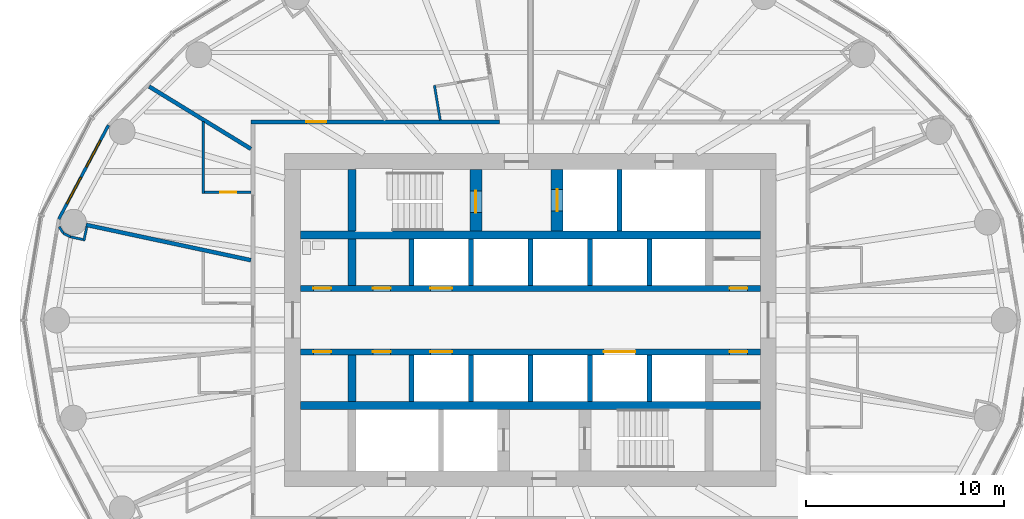
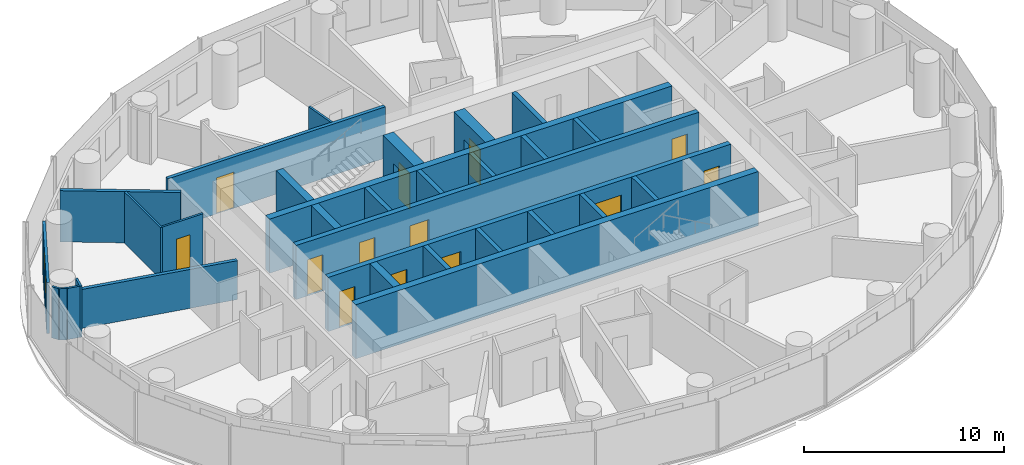
# One storey, part 8 of 14: 31 walls, 13 doors, 2 windows, 15 openings.
"""IFC4 building model written with IfcOpenShell, lengths in metres."""

from ifc_helpers import new_model, si_unit, direction, frame, frame_2d, origin, place, context, subcontext, project, spatial, rectangle, extrude, material, layer, layer_set, type_object, element, fill, save


model = new_model("IFC4")

# Units and contexts
model_context = context("Model", 3, precision=1e-05, world=origin(), true_north=direction((0.0, 1.0)))
body_context = subcontext(model_context, "Body", "Model", "MODEL_VIEW")
ifc_project = project(units=[si_unit("LENGTHUNIT", "METRE"), si_unit("AREAUNIT", "SQUARE_METRE"), si_unit("VOLUMEUNIT", "CUBIC_METRE"), si_unit("PLANEANGLEUNIT", "RADIAN"), si_unit("MASSUNIT", "GRAM", prefix="KILO")], contexts=[model_context])

# Site, building, storey
site_placement = place(None, origin())
site = spatial("IfcSite", under=ifc_project, at=site_placement, CompositionType="ELEMENT")
building_placement = place(site_placement, origin())
building = spatial("IfcBuilding", under=site, at=building_placement, Name="Hankou Lantern Tower", CompositionType="ELEMENT")
storey_placement = place(building_placement, frame((0.0, 0.0, 112.199951171875)))
storey = spatial("IfcBuildingStorey", under=building, at=storey_placement, Name="L28", CompositionType="ELEMENT", Elevation=112.199951171875)

# Walls
ifc_material_1 = material(Name="Concrete C60", Category="concrete")
ifc_layer_1 = layer(ifc_material_1, 0.39990234375)
ifc_layer_set_1 = layer_set([ifc_layer_1], Name="Concrete C60")
wall_type_1 = type_object("IfcWallType", Name="CW4 CORE CROSS WALL 400", PredefinedType="SHEAR", material=ifc_layer_set_1)
for number, where, z_axis, x_axis, name in (
    (1, (-11.60009765625, 4.300048828125, 0.0), (0.0, 0.0, 1.0), (1.0, 0.0, 0.0), "Core band wall north L28"),
    (2, (-11.60009765625, -4.300048828125, 0.0), (0.0, 0.0, 1.0), (1.0, 0.0, 0.0), "Core band wall south L28"),
):
    element("IfcWall", number, at=place(storey_placement, frame(where, z_axis=z_axis, x_axis=x_axis)), inside=storey, type_object=wall_type_1, Name=name, PredefinedType="SHEAR", context=body_context, shape_type="SweptSolid", body=[
        extrude(rectangle(XDim=23.2001953125, YDim=0.39990234375, at=frame_2d((11.60009765625, 0.0))), origin(), (0.0, 0.0, 1.0), 3.300048828125),
    ])
wall_1_placement = place(storey_placement, frame((-9.0, 4.5, 0.0), z_axis=(0.0, 0.0, 1.0), x_axis=(0.0, 1.0, 0.0)))
element("IfcWall", 3, at=wall_1_placement, inside=storey, type_object=wall_type_1, Name="Core strip wall L28", PredefinedType="SHEAR", context=body_context, shape_type="SweptSolid", body=[
    extrude(rectangle(XDim=3.10009765625, YDim=0.39990234375, at=frame_2d((1.550048828125, 0.0))), origin(), (0.0, 0.0, 1.0), 3.300048828125),
])
for number, where, z_axis, x_axis, name in (
    (4, (-9.0, 1.75, 0.0), (0.0, 0.0, 1.0), (0.0, 1.0, 0.0), "Core strip wall L28"),
    (5, (-9.0, -4.10009765625, 0.0), (0.0, 0.0, 1.0), (0.0, 1.0, 0.0), "Core strip wall L28"),
):
    element("IfcWall", number, at=place(storey_placement, frame(where, z_axis=z_axis, x_axis=x_axis)), inside=storey, type_object=wall_type_1, Name=name, PredefinedType="SHEAR", context=body_context, shape_type="SweptSolid", body=[
        extrude(rectangle(XDim=2.35009765625, YDim=0.39990234375, at=frame_2d((1.175048828125, 0.0))), origin(), (0.0, 0.0, 1.0), 3.300048828125),
    ])

# Wall, openings, doors
ifc_material_2 = material(Name="Concrete C60", Category="concrete")
ifc_layer_2 = layer(ifc_material_2, 0.300048828125)
ifc_layer_set_2 = layer_set([ifc_layer_2], Name="Concrete C60")
wall_type_2 = type_object("IfcWallType", Name="CW5 LIFT LOBBY WALL 300", PredefinedType="SHEAR", material=ifc_layer_set_2)
wall_2_placement = place(storey_placement, frame((-11.60009765625, 1.60009765625, 0.0), z_axis=(0.0, 0.0, 1.0), x_axis=(1.0, 0.0, 0.0)))
wall_2 = element("IfcWall", 6, at=wall_2_placement, inside=storey, type_object=wall_type_2, Name="Lift lobby wall north L28", PredefinedType="SHEAR", context=body_context, shape_type="SweptSolid", body=[
    extrude(rectangle(XDim=23.2001953125, YDim=0.300048828125, at=frame_2d((11.60009765625, 0.0))), origin(), (0.0, 0.0, 1.0), 3.300048828125),
])
opening_1_placement = place(wall_2_placement, frame((6.550048828125, 0.0, 0.0)))
opening_1 = element("IfcOpeningElement", 7, at=opening_1_placement, cuts=wall_2, Name="Opening LD1", PredefinedType="OPENING", context=body_context, shape_type="SweptSolid", body=[
    extrude(rectangle(XDim=1.10009765625, YDim=2.199951171875, at=frame_2d((0.550048828125, 1.10009765625))), frame((0.0, 0.159912109375, 0.0), z_axis=(0.0, -1.0, 0.0), x_axis=(1.0, 0.0, 0.0)), (0.0, 0.0, 1.0), 0.320068359375),
])
opening_2_placement = place(wall_2_placement, frame((0.64990234375, 0.0, 0.0)))
opening_2 = element("IfcOpeningElement", 8, at=opening_2_placement, cuts=wall_2, Name="Opening D30", PredefinedType="OPENING", context=body_context, shape_type="SweptSolid", body=[
    extrude(rectangle(XDim=0.89990234375, YDim=2.199951171875, at=frame_2d((0.449951171875, 1.10009765625))), frame((0.0, 0.159912109375, 0.0), z_axis=(0.0, -1.0, 0.0), x_axis=(1.0, 0.0, 0.0)), (0.0, 0.0, 1.0), 0.320068359375),
])
opening_3_placement = place(wall_2_placement, frame((3.64990234375, 0.0, 0.0)))
opening_3 = element("IfcOpeningElement", 9, at=opening_3_placement, cuts=wall_2, Name="Opening D30", PredefinedType="OPENING", context=body_context, shape_type="SweptSolid", body=[
    extrude(rectangle(XDim=0.89990234375, YDim=2.199951171875, at=frame_2d((0.449951171875, 1.10009765625))), frame((0.0, 0.159912109375, 0.0), z_axis=(0.0, -1.0, 0.0), x_axis=(1.0, 0.0, 0.0)), (0.0, 0.0, 1.0), 0.320068359375),
])
opening_4_placement = place(wall_2_placement, frame((21.64990234375, 0.0, 0.0)))
opening_4 = element("IfcOpeningElement", 10, at=opening_4_placement, cuts=wall_2, Name="Opening D30", PredefinedType="OPENING", context=body_context, shape_type="SweptSolid", body=[
    extrude(rectangle(XDim=0.89990234375, YDim=2.199951171875, at=frame_2d((0.449951171875, 1.10009765625))), frame((0.0, 0.159912109375, 0.0), z_axis=(0.0, -1.0, 0.0), x_axis=(1.0, 0.0, 0.0)), (0.0, 0.0, 1.0), 0.320068359375),
])
ifc_material_3 = material(Name="Steel door leaf", Category="steel")
door_type_1 = type_object("IfcDoorType", Name="D30 CORE ROOM DOOR 900X2200", OperationType="SINGLE_SWING_LEFT", PredefinedType="DOOR", material=ifc_material_3)
door_1_placement = place(opening_2_placement, origin())
door_1 = element("IfcDoor", 11, at=door_1_placement, inside=storey, type_object=door_type_1, Name="Accessible staff WC door", OperationType="SINGLE_SWING_LEFT", OverallHeight=2.199951171875, OverallWidth=0.89990234375, PredefinedType="DOOR", context=body_context, shape_type="SweptSolid", body=[
    extrude(rectangle(XDim=0.89990234375, YDim=2.199951171875, at=frame_2d((0.449951171875, 1.10009765625))), frame((0.0, 0.02490234375, 0.0), z_axis=(0.0, -1.0, 0.0), x_axis=(1.0, 0.0, 0.0)), (0.0, 0.0, 1.0), 0.050048828125),
])
fill(opening_2, door_1)
door_2_placement = place(opening_3_placement, origin())
door_2 = element("IfcDoor", 12, at=door_2_placement, inside=storey, type_object=door_type_1, Name="Staff locker room door", OperationType="SINGLE_SWING_LEFT", OverallHeight=2.199951171875, OverallWidth=0.89990234375, PredefinedType="DOOR", context=body_context, shape_type="SweptSolid", body=[
    extrude(rectangle(XDim=0.89990234375, YDim=2.199951171875, at=frame_2d((0.449951171875, 1.10009765625))), frame((0.0, 0.02490234375, 0.0), z_axis=(0.0, -1.0, 0.0), x_axis=(1.0, 0.0, 0.0)), (0.0, 0.0, 1.0), 0.050048828125),
])
fill(opening_3, door_2)
door_3_placement = place(opening_4_placement, origin())
door_3 = element("IfcDoor", 13, at=door_3_placement, inside=storey, type_object=door_type_1, Name="IT and telecoms room door", OperationType="SINGLE_SWING_RIGHT", OverallHeight=2.199951171875, OverallWidth=0.89990234375, PredefinedType="DOOR", context=body_context, shape_type="SweptSolid", body=[
    extrude(rectangle(XDim=0.89990234375, YDim=2.199951171875, at=frame_2d((0.449951171875, 1.10009765625))), frame((0.0, 0.02490234375, 0.0), z_axis=(0.0, -1.0, 0.0), x_axis=(1.0, 0.0, 0.0)), (0.0, 0.0, 1.0), 0.050048828125),
])
fill(opening_4, door_3)
ifc_material_4 = material(Name="Steel door leaf", Category="steel")
door_type_2 = type_object("IfcDoorType", Name="LD1 LIFT LANDING DOOR 1100X2200", OperationType="DOUBLE_DOOR_SLIDING", PredefinedType="DOOR", material=ifc_material_4)
door_4_placement = place(opening_1_placement, origin())
door_4 = element("IfcDoor", 14, at=door_4_placement, inside=storey, type_object=door_type_2, Name="Lift M1 landing door", OperationType="DOUBLE_DOOR_SLIDING", OverallHeight=2.199951171875, OverallWidth=1.10009765625, PredefinedType="DOOR", context=body_context, shape_type="SweptSolid", body=[
    extrude(rectangle(XDim=1.10009765625, YDim=2.199951171875, at=frame_2d((0.550048828125, 1.10009765625))), frame((0.0, 0.02490234375, 0.0), z_axis=(0.0, -1.0, 0.0), x_axis=(1.0, 0.0, 0.0)), (0.0, 0.0, 1.0), 0.050048828125),
])
fill(opening_1, door_4)

wall_3_placement = place(storey_placement, frame((-11.60009765625, -1.60009765625, 0.0), z_axis=(0.0, 0.0, 1.0), x_axis=(1.0, 0.0, 0.0)))
wall_3 = element("IfcWall", 15, at=wall_3_placement, inside=storey, type_object=wall_type_2, Name="Lift lobby wall south L28", PredefinedType="SHEAR", context=body_context, shape_type="SweptSolid", body=[
    extrude(rectangle(XDim=23.2001953125, YDim=0.300048828125, at=frame_2d((11.60009765625, 0.0))), origin(), (0.0, 0.0, 1.0), 3.300048828125),
])
opening_5_placement = place(wall_3_placement, frame((6.550048828125, 0.0, 0.0)))
opening_5 = element("IfcOpeningElement", 16, at=opening_5_placement, cuts=wall_3, Name="Opening LD1", PredefinedType="OPENING", context=body_context, shape_type="SweptSolid", body=[
    extrude(rectangle(XDim=1.10009765625, YDim=2.199951171875, at=frame_2d((0.550048828125, 1.10009765625))), frame((0.0, 0.159912109375, 0.0), z_axis=(0.0, -1.0, 0.0), x_axis=(1.0, 0.0, 0.0)), (0.0, 0.0, 1.0), 0.320068359375),
])
opening_6_placement = place(wall_3_placement, frame((15.300048828125, 0.0, 0.0)))
opening_6 = element("IfcOpeningElement", 17, at=opening_6_placement, cuts=wall_3, Name="Opening LD4", PredefinedType="OPENING", context=body_context, shape_type="SweptSolid", body=[
    extrude(rectangle(XDim=1.60009765625, YDim=2.39990234375, at=frame_2d((0.800048828125, 1.199951171875))), frame((0.0, 0.159912109375, 0.0), z_axis=(0.0, -1.0, 0.0), x_axis=(1.0, 0.0, 0.0)), (0.0, 0.0, 1.0), 0.320068359375),
])
opening_7_placement = place(wall_3_placement, frame((0.64990234375, 0.0, 0.0)))
opening_7 = element("IfcOpeningElement", 18, at=opening_7_placement, cuts=wall_3, Name="Opening D30", PredefinedType="OPENING", context=body_context, shape_type="SweptSolid", body=[
    extrude(rectangle(XDim=0.89990234375, YDim=2.199951171875, at=frame_2d((0.449951171875, 1.10009765625))), frame((0.0, 0.159912109375, 0.0), z_axis=(0.0, -1.0, 0.0), x_axis=(1.0, 0.0, 0.0)), (0.0, 0.0, 1.0), 0.320068359375),
])
opening_8_placement = place(wall_3_placement, frame((3.64990234375, 0.0, 0.0)))
opening_8 = element("IfcOpeningElement", 19, at=opening_8_placement, cuts=wall_3, Name="Opening D30", PredefinedType="OPENING", context=body_context, shape_type="SweptSolid", body=[
    extrude(rectangle(XDim=0.89990234375, YDim=2.199951171875, at=frame_2d((0.449951171875, 1.10009765625))), frame((0.0, 0.159912109375, 0.0), z_axis=(0.0, -1.0, 0.0), x_axis=(1.0, 0.0, 0.0)), (0.0, 0.0, 1.0), 0.320068359375),
])
opening_9_placement = place(wall_3_placement, frame((21.64990234375, 0.0, 0.0)))
opening_9 = element("IfcOpeningElement", 20, at=opening_9_placement, cuts=wall_3, Name="Opening D30", PredefinedType="OPENING", context=body_context, shape_type="SweptSolid", body=[
    extrude(rectangle(XDim=0.89990234375, YDim=2.199951171875, at=frame_2d((0.449951171875, 1.10009765625))), frame((0.0, 0.159912109375, 0.0), z_axis=(0.0, -1.0, 0.0), x_axis=(1.0, 0.0, 0.0)), (0.0, 0.0, 1.0), 0.320068359375),
])
door_5_placement = place(opening_7_placement, origin())
door_5 = element("IfcDoor", 21, at=door_5_placement, inside=storey, type_object=door_type_1, Name="Engineering store door", OperationType="SINGLE_SWING_LEFT", OverallHeight=2.199951171875, OverallWidth=0.89990234375, PredefinedType="DOOR", context=body_context, shape_type="SweptSolid", body=[
    extrude(rectangle(XDim=0.89990234375, YDim=2.199951171875, at=frame_2d((0.449951171875, 1.10009765625))), frame((0.0, 0.02490234375, 0.0), z_axis=(0.0, -1.0, 0.0), x_axis=(1.0, 0.0, 0.0)), (0.0, 0.0, 1.0), 0.050048828125),
])
fill(opening_7, door_5)
door_6_placement = place(opening_8_placement, origin())
door_6 = element("IfcDoor", 22, at=door_6_placement, inside=storey, type_object=door_type_1, Name="Housekeeping and linen store door", OperationType="SINGLE_SWING_LEFT", OverallHeight=2.199951171875, OverallWidth=0.89990234375, PredefinedType="DOOR", context=body_context, shape_type="SweptSolid", body=[
    extrude(rectangle(XDim=0.89990234375, YDim=2.199951171875, at=frame_2d((0.449951171875, 1.10009765625))), frame((0.0, 0.02490234375, 0.0), z_axis=(0.0, -1.0, 0.0), x_axis=(1.0, 0.0, 0.0)), (0.0, 0.0, 1.0), 0.050048828125),
])
fill(opening_8, door_6)
door_7_placement = place(opening_9_placement, origin())
door_7 = element("IfcDoor", 23, at=door_7_placement, inside=storey, type_object=door_type_1, Name="Minibar store door", OperationType="SINGLE_SWING_RIGHT", OverallHeight=2.199951171875, OverallWidth=0.89990234375, PredefinedType="DOOR", context=body_context, shape_type="SweptSolid", body=[
    extrude(rectangle(XDim=0.89990234375, YDim=2.199951171875, at=frame_2d((0.449951171875, 1.10009765625))), frame((0.0, 0.02490234375, 0.0), z_axis=(0.0, -1.0, 0.0), x_axis=(1.0, 0.0, 0.0)), (0.0, 0.0, 1.0), 0.050048828125),
])
fill(opening_9, door_7)
door_8_placement = place(opening_5_placement, origin())
door_8 = element("IfcDoor", 24, at=door_8_placement, inside=storey, type_object=door_type_2, Name="Lift M2 landing door", OperationType="DOUBLE_DOOR_SLIDING", OverallHeight=2.199951171875, OverallWidth=1.10009765625, PredefinedType="DOOR", context=body_context, shape_type="SweptSolid", body=[
    extrude(rectangle(XDim=1.10009765625, YDim=2.199951171875, at=frame_2d((0.550048828125, 1.10009765625))), frame((0.0, 0.02490234375, 0.0), z_axis=(0.0, -1.0, 0.0), x_axis=(1.0, 0.0, 0.0)), (0.0, 0.0, 1.0), 0.050048828125),
])
fill(opening_5, door_8)
ifc_material_5 = material(Name="Steel door leaf", Category="steel")
door_type_3 = type_object("IfcDoorType", Name="LD4 SERVICE LIFT LANDING DOOR 1600X2400", OperationType="DOUBLE_DOOR_SLIDING", PredefinedType="DOOR", material=ifc_material_5)
door_9_placement = place(opening_6_placement, origin())
door_9 = element("IfcDoor", 25, at=door_9_placement, inside=storey, type_object=door_type_3, Name="Lift SV1 landing door", OperationType="DOUBLE_DOOR_SLIDING", OverallHeight=2.39990234375, OverallWidth=1.60009765625, PredefinedType="DOOR", context=body_context, shape_type="SweptSolid", body=[
    extrude(rectangle(XDim=1.60009765625, YDim=2.39990234375, at=frame_2d((0.800048828125, 1.199951171875))), frame((0.0, 0.02490234375, 0.0), z_axis=(0.0, -1.0, 0.0), x_axis=(1.0, 0.0, 0.0)), (0.0, 0.0, 1.0), 0.050048828125),
])
fill(opening_6, door_9)

# Wall, opening, door
ifc_material_6 = material(Name="Concrete C60", Category="concrete")
ifc_layer_3 = layer(ifc_material_6, 0.60009765625)
ifc_layer_set_3 = layer_set([ifc_layer_3], Name="Concrete C60")
wall_type_3 = type_object("IfcWallType", Name="CW6 STAIR AND SHAFT WALL 600", PredefinedType="SHEAR", material=ifc_layer_set_3)
wall_4_placement = place(storey_placement, frame((-2.75, 4.5, 0.0), z_axis=(0.0, 0.0, 1.0), x_axis=(0.0, 1.0, 0.0)))
wall_4 = element("IfcWall", 26, at=wall_4_placement, inside=storey, type_object=wall_type_3, Name="Stair wall L28", PredefinedType="SHEAR", context=body_context, shape_type="SweptSolid", body=[
    extrude(rectangle(XDim=3.10009765625, YDim=0.60009765625, at=frame_2d((1.550048828125, 0.0))), origin(), (0.0, 0.0, 1.0), 3.300048828125),
])
opening_10_placement = place(wall_4_placement, frame((0.925048828125, 0.0, 0.0)))
opening_10 = element("IfcOpeningElement", 27, at=opening_10_placement, cuts=wall_4, Name="Opening D4", PredefinedType="OPENING", context=body_context, shape_type="SweptSolid", body=[
    extrude(rectangle(XDim=1.10009765625, YDim=2.199951171875, at=frame_2d((0.550048828125, 1.10009765625))), frame((0.0, 0.31005859375, 0.0), z_axis=(0.0, -1.0, 0.0), x_axis=(1.0, 0.0, 0.0)), (0.0, 0.0, 1.0), 0.6201171875),
])
ifc_material_7 = material(Name="Steel door leaf", Category="steel")
door_type_4 = type_object("IfcDoorType", Name="D4 STAIR DOOR 1100X2200", OperationType="SINGLE_SWING_LEFT", PredefinedType="DOOR", material=ifc_material_7)
door_10_placement = place(opening_10_placement, origin())
door_10 = element("IfcDoor", 28, at=door_10_placement, inside=storey, type_object=door_type_4, Name="Stair A door", OperationType="SINGLE_SWING_LEFT", OverallHeight=2.199951171875, OverallWidth=1.10009765625, PredefinedType="DOOR", context=body_context, shape_type="SweptSolid", body=[
    extrude(rectangle(XDim=1.10009765625, YDim=2.199951171875, at=frame_2d((0.550048828125, 1.10009765625))), frame((0.0, 0.02490234375, 0.0), z_axis=(0.0, -1.0, 0.0), x_axis=(1.0, 0.0, 0.0)), (0.0, 0.0, 1.0), 0.050048828125),
])
fill(opening_10, door_10)

wall_5_placement = place(storey_placement, frame((1.35009765625, 4.5, 0.0), z_axis=(0.0, 0.0, 1.0), x_axis=(0.0, 1.0, 0.0)))
wall_5 = element("IfcWall", 29, at=wall_5_placement, inside=storey, type_object=wall_type_3, Name="Firefighting lift shaft wall L28", PredefinedType="SHEAR", context=body_context, shape_type="SweptSolid", body=[
    extrude(rectangle(XDim=3.10009765625, YDim=0.60009765625, at=frame_2d((1.550048828125, 0.0))), origin(), (0.0, 0.0, 1.0), 3.300048828125),
])
opening_11_placement = place(wall_5_placement, frame((1.0, 0.0, 0.0)))
opening_11 = element("IfcOpeningElement", 30, at=opening_11_placement, cuts=wall_5, Name="Opening LD2", PredefinedType="OPENING", context=body_context, shape_type="SweptSolid", body=[
    extrude(rectangle(XDim=1.10009765625, YDim=2.199951171875, at=frame_2d((0.550048828125, 1.10009765625))), frame((0.0, 0.31005859375, 0.0), z_axis=(0.0, -1.0, 0.0), x_axis=(1.0, 0.0, 0.0)), (0.0, 0.0, 1.0), 0.6201171875),
])
ifc_material_8 = material(Name="Steel door leaf", Category="steel")
door_type_5 = type_object("IfcDoorType", Name="LD2 FIREFIGHTING LIFT LANDING DOOR 1100X2200", OperationType="DOUBLE_DOOR_SLIDING", PredefinedType="DOOR", material=ifc_material_8)
door_11_placement = place(opening_11_placement, origin())
door_11 = element("IfcDoor", 31, at=door_11_placement, inside=storey, type_object=door_type_5, Name="Firefighting lift FL1 landing door", OperationType="DOUBLE_DOOR_SLIDING", OverallHeight=2.199951171875, OverallWidth=1.10009765625, PredefinedType="DOOR", context=body_context, shape_type="SweptSolid", body=[
    extrude(rectangle(XDim=1.10009765625, YDim=2.199951171875, at=frame_2d((0.550048828125, 1.10009765625))), frame((0.0, 0.02490234375, 0.0), z_axis=(0.0, -1.0, 0.0), x_axis=(1.0, 0.0, 0.0)), (0.0, 0.0, 1.0), 0.050048828125),
])
fill(opening_11, door_11)

# Wall, openings, windows
ifc_material_9 = material(Name="Aluminium spandrel panel on steel studs", Category="steel")
ifc_layer_4 = layer(ifc_material_9, 0.14990234375)
ifc_layer_set_4 = layer_set([ifc_layer_4], Name="Aluminium spandrel panel on steel studs")
wall_type_4 = type_object("IfcWallType", Name="EW1 INNER SKIN WALL 150", PredefinedType="ELEMENTEDWALL", material=ifc_layer_set_4)
wall_6_placement = place(storey_placement, frame((-21.287353515625, 9.83203125, 0.0), z_axis=(0.0, 0.0, 1.0), x_axis=(-0.467814388454, -0.883826735257, 0.0)))
wall_6 = element("IfcWall", 32, at=wall_6_placement, inside=storey, type_object=wall_type_4, Name="Inner skin R11-R12 L28", PredefinedType="ELEMENTEDWALL", context=body_context, shape_type="SweptSolid", body=[
    extrude(rectangle(XDim=5.35400390625, YDim=0.14990234375, at=frame_2d((2.677001953125, 0.0))), origin(), (0.0, 0.0, 1.0), 3.1201171875),
])
opening_12_placement = place(wall_6_placement, frame((0.876953125, 0.0, 0.89990234375)))
opening_12 = element("IfcOpeningElement", 33, at=opening_12_placement, cuts=wall_6, Name="Opening W2", PredefinedType="OPENING", context=body_context, shape_type="SweptSolid", body=[
    extrude(rectangle(XDim=1.5, YDim=1.89990234375, at=frame_2d((0.75, 0.949951171875))), frame((0.0, 0.0849609375, 0.0), z_axis=(0.0, -1.0, 0.0), x_axis=(1.0, 0.0, 0.0)), (0.0, 0.0, 1.0), 0.169921875),
])
opening_13_placement = place(wall_6_placement, frame((2.97705078125, 0.0, 0.89990234375)))
opening_13 = element("IfcOpeningElement", 34, at=opening_13_placement, cuts=wall_6, Name="Opening W2", PredefinedType="OPENING", context=body_context, shape_type="SweptSolid", body=[
    extrude(rectangle(XDim=1.5, YDim=1.89990234375, at=frame_2d((0.75, 0.949951171875))), frame((0.0, 0.0849609375, 0.0), z_axis=(0.0, -1.0, 0.0), x_axis=(1.0, 0.0, 0.0)), (0.0, 0.0, 1.0), 0.169921875),
])
ifc_material_10 = material(Name="Aluminium framed double glazed window", Category="aluminium")
window_type = type_object("IfcWindowType", Name="W2 GUEST ROOM WINDOW 1500X1900", PartitioningType="DOUBLE_PANEL_VERTICAL", PredefinedType="WINDOW", material=ifc_material_10)
window_1_placement = place(opening_12_placement, origin())
window_1 = element("IfcWindow", 35, at=window_1_placement, inside=storey, type_object=window_type, Name="Window R11.1 L28", OverallHeight=1.89990234375, OverallWidth=1.5, PartitioningType="SINGLE_PANEL", PredefinedType="WINDOW", context=body_context, shape_type="SweptSolid", body=[
    extrude(rectangle(XDim=1.5, YDim=1.89990234375, at=frame_2d((0.75, 0.949951171875))), frame((0.0, 0.030029296875, 0.0), z_axis=(0.0, -1.0, 0.0), x_axis=(1.0, 0.0, 0.0)), (0.0, 0.0, 1.0), 0.06005859375),
])
fill(opening_12, window_1)
window_2_placement = place(opening_13_placement, origin())
window_2 = element("IfcWindow", 36, at=window_2_placement, inside=storey, type_object=window_type, Name="Window R11.2 L28", OverallHeight=1.89990234375, OverallWidth=1.5, PartitioningType="SINGLE_PANEL", PredefinedType="WINDOW", context=body_context, shape_type="SweptSolid", body=[
    extrude(rectangle(XDim=1.5, YDim=1.89990234375, at=frame_2d((0.75, 0.949951171875))), frame((0.0, 0.030029296875, 0.0), z_axis=(0.0, -1.0, 0.0), x_axis=(1.0, 0.0, 0.0)), (0.0, 0.0, 1.0), 0.06005859375),
])
fill(opening_13, window_2)

# Walls
ifc_material_11 = material(Name="Masonry lightweight concrete block", Category="masonry")
ifc_layer_5 = layer(ifc_material_11, 0.199951171875)
ifc_layer_set_5 = layer_set([ifc_layer_5], Name="Masonry lightweight concrete block")
wall_type_5 = type_object("IfcWallType", Name="IW1 GUEST ROOM PARTY WALL 200", PredefinedType="PARTITIONING", material=ifc_layer_set_5)
wall_7_placement = place(storey_placement, frame((-14.10009765625, 8.6376953125, 0.0), z_axis=(0.0, 0.0, 1.0), x_axis=(-0.852706758009, 0.5223898782, 0.0)))
element("IfcWall", 37, at=wall_7_placement, inside=storey, type_object=wall_type_5, Name="Party wall R10-R11", PredefinedType="PARTITIONING", context=body_context, shape_type="SweptSolid", body=[
    extrude(rectangle(XDim=6.0185546875, YDim=0.199951171875, at=frame_2d((3.00927734375, 0.0))), origin(), (0.0, 0.0, 1.0), 3.1201171875),
])
wall_8_placement = place(storey_placement, frame((-14.10009765625, 3.0224609375, 0.0), z_axis=(0.0, 0.0, 1.0), x_axis=(-0.977783513367, 0.209617272638, 0.0)))
element("IfcWall", 38, at=wall_8_placement, inside=storey, type_object=wall_type_5, Name="Party wall R12", PredefinedType="PARTITIONING", context=body_context, shape_type="SweptSolid", body=[
    extrude(rectangle(XDim=8.508056640625, YDim=0.199951171875, at=frame_2d((4.25390625, 0.0))), origin(), (0.0, 0.0, 1.0), 2.3701171875),
])

# Wall, opening, door
ifc_material_12 = material(Name="Masonry lightweight concrete block", Category="masonry")
ifc_layer_6 = layer(ifc_material_12, 0.199951171875)
ifc_layer_set_6 = layer_set([ifc_layer_6], Name="Masonry lightweight concrete block")
wall_type_6 = type_object("IfcWallType", Name="IW2 CORRIDOR WALL 200", PredefinedType="PARTITIONING", material=ifc_layer_set_6)
wall_9_placement = place(storey_placement, frame((-14.10009765625, 10.0, 0.0), z_axis=(0.0, 0.0, 1.0), x_axis=(1.0, 0.0, 0.0)))
wall_9 = element("IfcWall", 39, at=wall_9_placement, inside=storey, type_object=wall_type_6, Name="Corridor wall north", PredefinedType="PARTITIONING", context=body_context, shape_type="SweptSolid", body=[
    extrude(rectangle(XDim=12.534912109375, YDim=0.199951171875, at=frame_2d((6.267578125, 0.0))), origin(), (0.0, 0.0, 1.0), 3.1201171875),
])
opening_14_placement = place(wall_9_placement, frame((2.801025390625, 0.0, 0.0)))
opening_14 = element("IfcOpeningElement", 40, at=opening_14_placement, cuts=wall_9, Name="Opening D1", PredefinedType="OPENING", context=body_context, shape_type="SweptSolid", body=[
    extrude(rectangle(XDim=1.0, YDim=2.199951171875, at=frame_2d((0.5, 1.10009765625))), frame((0.0, 0.10986328125, 0.0), z_axis=(0.0, -1.0, 0.0), x_axis=(1.0, 0.0, 0.0)), (0.0, 0.0, 1.0), 0.219970703125),
])
ifc_material_13 = material(Name="Steel door leaf", Category="steel")
door_type_6 = type_object("IfcDoorType", Name="D1 GUEST ROOM DOOR 1000X2200", OperationType="SINGLE_SWING_LEFT", PredefinedType="DOOR", material=ifc_material_13)
door_12_placement = place(opening_14_placement, origin())
door_12 = element("IfcDoor", 41, at=door_12_placement, inside=storey, type_object=door_type_6, Name="Guest room door 2805", OperationType="SINGLE_SWING_RIGHT", OverallHeight=2.199951171875, OverallWidth=1.0, PredefinedType="DOOR", context=body_context, shape_type="SweptSolid", body=[
    extrude(rectangle(XDim=1.0, YDim=2.199951171875, at=frame_2d((0.5, 1.10009765625))), frame((0.0, 0.02490234375, 0.0), z_axis=(0.0, -1.0, 0.0), x_axis=(1.0, 0.0, 0.0)), (0.0, 0.0, 1.0), 0.050048828125),
])
fill(opening_14, door_12)

# Walls
ifc_material_14 = material(Name="Masonry lightweight concrete block", Category="masonry")
ifc_layer_7 = layer(ifc_material_14, 0.1201171875)
ifc_layer_set_7 = layer_set([ifc_layer_7], Name="Masonry lightweight concrete block")
wall_type_7 = type_object("IfcWallType", Name="IW3 BATHROOM WALL 120", PredefinedType="PARTITIONING", material=ifc_layer_set_7)
wall_10_placement = place(storey_placement, frame((-4.551025390625, 10.083740234375, 0.0), z_axis=(0.0, 0.0, 1.0), x_axis=(-0.162625830583, 0.986687812445, 0.0)))
element("IfcWall", 42, at=wall_10_placement, inside=storey, type_object=wall_type_7, Name="Box wall 2804 1", PredefinedType="PARTITIONING", context=body_context, shape_type="SweptSolid", body=[
    extrude(rectangle(XDim=1.786376953125, YDim=0.1201171875, at=frame_2d((0.89306640625, 0.0))), origin(), (0.0, 0.0, 1.0), 3.1201171875),
])
wall_11_placement = place(storey_placement, frame((-16.5, 10.008056640625, 0.0), z_axis=(0.0, 0.0, 1.0), x_axis=(0.0, -1.0, 0.0)))
element("IfcWall", 43, at=wall_11_placement, inside=storey, type_object=wall_type_7, Name="Box wall 2806 1", PredefinedType="PARTITIONING", context=body_context, shape_type="SweptSolid", body=[
    extrude(rectangle(XDim=3.6103515625, YDim=0.1201171875, at=frame_2d((1.80517578125, 0.0))), origin(), (0.0, 0.0, 1.0), 3.1201171875),
])

# Wall, opening, door
wall_12_placement = place(storey_placement, frame((-14.10009765625, 6.457763671875, 0.0), z_axis=(0.0, 0.0, 1.0), x_axis=(-1.0, 0.0, 0.0)))
wall_12 = element("IfcWall", 44, at=wall_12_placement, inside=storey, type_object=wall_type_7, Name="Box wall 2806 1", PredefinedType="PARTITIONING", context=body_context, shape_type="SweptSolid", body=[
    extrude(rectangle(XDim=2.33984375, YDim=0.1201171875, at=frame_2d((1.169921875, 0.0))), origin(), (0.0, 0.0, 1.0), 3.1201171875),
])
opening_15_placement = place(wall_12_placement, frame((0.75, 0.0, 0.0)))
opening_15 = element("IfcOpeningElement", 45, at=opening_15_placement, cuts=wall_12, Name="Opening D3", PredefinedType="OPENING", context=body_context, shape_type="SweptSolid", body=[
    extrude(rectangle(XDim=0.800048828125, YDim=2.10009765625, at=frame_2d((0.39990234375, 1.050048828125))), frame((0.0, 0.070068359375, 0.0), z_axis=(0.0, -1.0, 0.0), x_axis=(1.0, 0.0, 0.0)), (0.0, 0.0, 1.0), 0.14013671875),
])
ifc_material_15 = material(Name="Timber door leaf", Category="wood")
door_type_7 = type_object("IfcDoorType", Name="D3 BATHROOM DOOR 800X2100", OperationType="SINGLE_SWING_LEFT", PredefinedType="DOOR", material=ifc_material_15)
door_13_placement = place(opening_15_placement, origin())
door_13 = element("IfcDoor", 46, at=door_13_placement, inside=storey, type_object=door_type_7, Name="En-suite bathroom 2806 door", OperationType="SINGLE_SWING_LEFT", OverallHeight=2.10009765625, OverallWidth=0.800048828125, PredefinedType="DOOR", context=body_context, shape_type="SweptSolid", body=[
    extrude(rectangle(XDim=0.800048828125, YDim=2.10009765625, at=frame_2d((0.39990234375, 1.050048828125))), frame((0.0, 0.02490234375, 0.0), z_axis=(0.0, -1.0, 0.0), x_axis=(1.0, 0.0, 0.0)), (0.0, 0.0, 1.0), 0.050048828125),
])
fill(opening_15, door_13)

# Walls
ifc_material_16 = material(Name="Masonry lightweight concrete block", Category="masonry")
ifc_layer_8 = layer(ifc_material_16, 0.1201171875)
ifc_layer_set_8 = layer_set([ifc_layer_8], Name="Masonry lightweight concrete block")
wall_type_8 = type_object("IfcWallType", Name="IW4 PARTITION 120", PredefinedType="PARTITIONING", material=ifc_layer_set_8)
wall_13_placement = place(storey_placement, frame((-22.381591796875, 4.6953125, 0.0), z_axis=(0.0, 0.0, 1.0), x_axis=(-0.209808658628, -0.977742464438, 0.0)))
element("IfcWall", 47, at=wall_13_placement, inside=storey, type_object=wall_type_8, Name="Column casing R12 return", PredefinedType="PARTITIONING", context=body_context, shape_type="SweptSolid", body=[
    extrude(rectangle(XDim=0.715576171875, YDim=0.1201171875, at=frame_2d((0.35791015625, 0.0))), origin(), (0.0, 0.0, 1.0), 3.1201171875),
])
wall_14_placement = place(storey_placement, frame((-22.57763671875, 4.06689453125, 0.0), z_axis=(0.0, 0.0, 1.0), x_axis=(-0.977802414077, 0.209529088731, 0.0)))
element("IfcWall", 48, at=wall_14_placement, inside=storey, type_object=wall_type_8, Name="Column casing R12", PredefinedType="PARTITIONING", context=body_context, shape_type="SweptSolid", body=[
    extrude(rectangle(XDim=0.650146484375, YDim=0.1201171875, at=frame_2d((0.3251953125, 0.0))), origin(), (0.0, 0.0, 1.0), 3.1201171875),
])
for number, where, z_axis, x_axis, name in (
    (49, (-23.21337890625, 4.203125, 0.0), (0.0, 0.0, 1.0), (-0.890142184171, 0.455682885305, 0.0), "Column casing R12"),
    (50, (-23.5615234375, 4.38134765625, 0.0), (0.0, 0.0, 1.0), (-0.543121848217, 0.839653891784, 0.0), "Column casing R12"),
):
    element("IfcWall", number, at=place(storey_placement, frame(where, z_axis=z_axis, x_axis=x_axis)), inside=storey, type_object=wall_type_8, Name=name, PredefinedType="PARTITIONING", context=body_context, shape_type="SweptSolid", body=[
        extrude(rectangle(XDim=0.39111328125, YDim=0.1201171875, at=frame_2d((0.195556640625, 0.0))), origin(), (0.0, 0.0, 1.0), 3.1201171875),
    ])
ifc_material_17 = material(Name="Masonry autoclaved aerated concrete block", Category="masonry")
ifc_layer_9 = layer(ifc_material_17, 0.25)
ifc_layer_set_9 = layer_set([ifc_layer_9], Name="Masonry autoclaved aerated concrete block")
wall_type_9 = type_object("IfcWallType", Name="SW1 SHAFT BLOCK WALL 250", PredefinedType="PARTITIONING", material=ifc_layer_set_9)
wall_15_placement = place(storey_placement, frame((4.5, 4.5, 0.0), z_axis=(0.0, 0.0, 1.0), x_axis=(0.0, 1.0, 0.0)))
element("IfcWall", 51, at=wall_15_placement, inside=storey, type_object=wall_type_9, Name="Riser wall L28", PredefinedType="PARTITIONING", context=body_context, shape_type="SweptSolid", body=[
    extrude(rectangle(XDim=3.10009765625, YDim=0.25, at=frame_2d((1.550048828125, 0.0))), origin(), (0.0, 0.0, 1.0), 3.300048828125),
])
for number, where, z_axis, x_axis, name in (
    (52, (-6.0, 1.75, 0.0), (0.0, 0.0, 1.0), (0.0, 1.0, 0.0), "Lift shaft wall L28"),
    (53, (-3.0, 1.75, 0.0), (0.0, 0.0, 1.0), (0.0, 1.0, 0.0), "Lift shaft wall L28"),
    (54, (0.0, 1.75, 0.0), (0.0, 0.0, 1.0), (0.0, 1.0, 0.0), "Lift shaft wall L28"),
    (55, (3.0, 1.75, 0.0), (0.0, 0.0, 1.0), (0.0, 1.0, 0.0), "Lift shaft wall L28"),
    (56, (6.0, 1.75, 0.0), (0.0, 0.0, 1.0), (0.0, 1.0, 0.0), "Lift shaft wall L28"),
    (57, (-6.0, -4.10009765625, 0.0), (0.0, 0.0, 1.0), (0.0, 1.0, 0.0), "Lift shaft wall L28"),
    (58, (-3.0, -4.10009765625, 0.0), (0.0, 0.0, 1.0), (0.0, 1.0, 0.0), "Lift shaft wall L28"),
    (59, (0.0, -4.10009765625, 0.0), (0.0, 0.0, 1.0), (0.0, 1.0, 0.0), "Lift shaft wall L28"),
    (60, (3.0, -4.10009765625, 0.0), (0.0, 0.0, 1.0), (0.0, 1.0, 0.0), "Lift shaft wall L28"),
    (61, (6.0, -4.10009765625, 0.0), (0.0, 0.0, 1.0), (0.0, 1.0, 0.0), "Lift shaft wall L28"),
):
    element("IfcWall", number, at=place(storey_placement, frame(where, z_axis=z_axis, x_axis=x_axis)), inside=storey, type_object=wall_type_9, Name=name, PredefinedType="PARTITIONING", context=body_context, shape_type="SweptSolid", body=[
        extrude(rectangle(XDim=2.35009765625, YDim=0.25, at=frame_2d((1.175048828125, 0.0))), origin(), (0.0, 0.0, 1.0), 3.300048828125),
    ])

save(model, "model.ifc")
